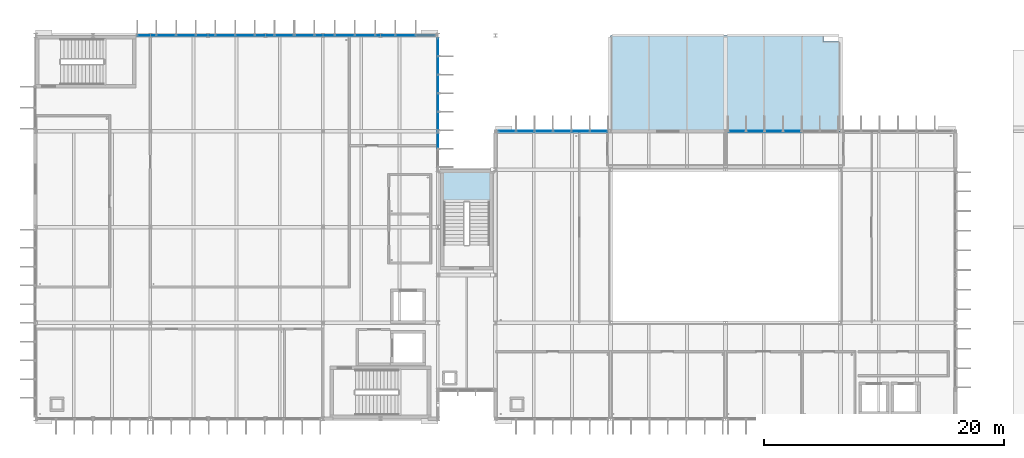
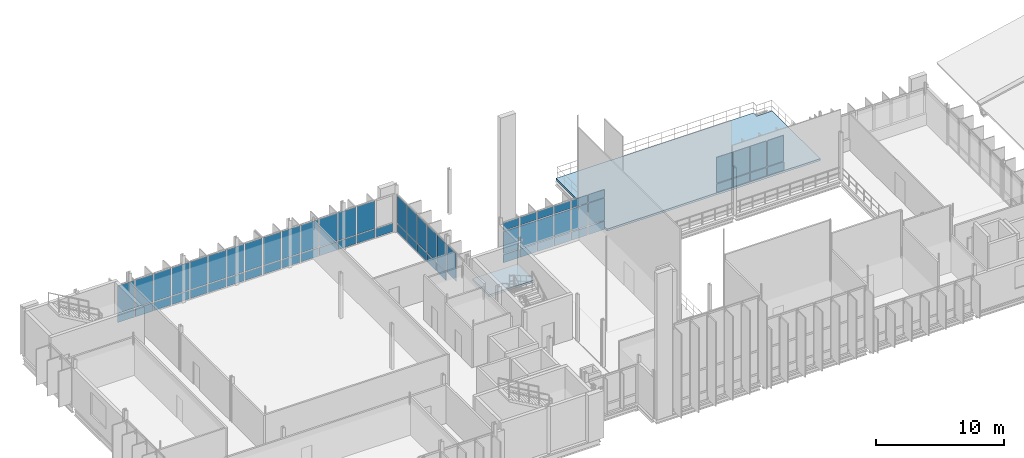
# One storey, part 20 of 41: 66 plates, 2 slabs, 6 elements without a shape of their own.
"""IFC4 building model written with IfcOpenShell, lengths in metres."""

from ifc_helpers import new_model, si_unit, direction, frame, origin, origin_2d, place, context, subcontext, project, spatial, polyline, rectangle, outline, extrude, material, layer, layer_set, type_object, element, aggregate, save


model = new_model("IFC4")

# Units and contexts
model_context = context("Model", 3, precision=1e-05, world=origin(), true_north=direction((0.0, 1.0)))
body_context = subcontext(model_context, "Body", "Model", "MODEL_VIEW")
ifc_project = project(units=[si_unit("LENGTHUNIT", "METRE"), si_unit("AREAUNIT", "SQUARE_METRE"), si_unit("VOLUMEUNIT", "CUBIC_METRE"), si_unit("PLANEANGLEUNIT", "RADIAN"), si_unit("MASSUNIT", "GRAM", prefix="KILO")], contexts=[model_context])

# Site, building, storey
site_placement = place(None, origin())
site = spatial("IfcSite", under=ifc_project, at=site_placement, CompositionType="ELEMENT")
building_placement = place(site_placement, origin())
building = spatial("IfcBuilding", under=site, at=building_placement, Name="Dunescarp Central Library", CompositionType="ELEMENT")
storey_placement = place(building_placement, frame((0.0, 0.0, 23.10009765625)))
storey = spatial("IfcBuildingStorey", under=building, at=storey_placement, Name="L05", CompositionType="ELEMENT", Elevation=23.10009765625)

# Curtain wall, plates
ifc_material_1 = material(Name="Marine-grade anodised aluminium 6063-T6", Category="aluminium")
curtain_wall_type = type_object("IfcCurtainWallType", Name="ARC-CW-STICK", PredefinedType="NOTDEFINED", material=ifc_material_1)
curtain_wall_1_placement = place(storey_placement, origin())
curtain_wall_1 = element("IfcCurtainWall", 1, at=curtain_wall_1_placement, inside=storey, type_object=curtain_wall_type, Name="L05 curtain wall CW-V1-033", PredefinedType="NOTDEFINED")
ifc_material_2 = material(Name="Solar-control laminated double glazing", Category="glass")
ifc_layer_1 = layer(ifc_material_2, 0.028076171875)
ifc_layer_set_1 = layer_set([ifc_layer_1], Name="Solar-control laminated double glazing")
plate_type_1 = type_object("IfcPlateType", Name="ARC-PLT-GLZ28", PredefinedType="CURTAIN_PANEL", material=ifc_layer_set_1)
plate_1_placement = place(storey_placement, frame((22.464599609375, 36.800048828125, 0.93994140625), z_axis=(0.0, 0.0, 1.0), x_axis=(1.0, 0.0, 0.0)))
plate_1 = element("IfcPlate", 2, at=plate_1_placement, type_object=plate_type_1, Name="CW-V1-033 panel 1.2", PredefinedType="CURTAIN_PANEL", context=body_context, shape_type="SweptSolid", body=[
    extrude(rectangle(XDim=1.5693359375, YDim=0.028076171875, at=origin_2d()), origin(), (0.0, 0.0, 1.0), 2.633056640625),
])
plate_2_placement = place(storey_placement, frame((24.134033203125, 36.800048828125, 0.93994140625), z_axis=(0.0, 0.0, 1.0), x_axis=(1.0, 0.0, 0.0)))
plate_2 = element("IfcPlate", 3, at=plate_2_placement, type_object=plate_type_1, Name="CW-V1-033 panel 2.2", PredefinedType="CURTAIN_PANEL", context=body_context, shape_type="SweptSolid", body=[
    extrude(rectangle(XDim=1.609375, YDim=0.028076171875, at=origin_2d()), origin(), (0.0, 0.0, 1.0), 2.633056640625),
])
plate_3_placement = place(storey_placement, frame((25.8232421875, 36.800048828125, 0.93994140625), z_axis=(0.0, 0.0, 1.0), x_axis=(1.0, 0.0, 0.0)))
plate_3 = element("IfcPlate", 4, at=plate_3_placement, type_object=plate_type_1, Name="CW-V1-033 panel 3.2", PredefinedType="CURTAIN_PANEL", context=body_context, shape_type="SweptSolid", body=[
    extrude(rectangle(XDim=1.609375, YDim=0.028076171875, at=origin_2d()), origin(), (0.0, 0.0, 1.0), 2.633056640625),
])
plate_4_placement = place(storey_placement, frame((27.512451171875, 36.800048828125, 0.93994140625), z_axis=(0.0, 0.0, 1.0), x_axis=(1.0, 0.0, 0.0)))
plate_4 = element("IfcPlate", 5, at=plate_4_placement, type_object=plate_type_1, Name="CW-V1-033 panel 4.2", PredefinedType="CURTAIN_PANEL", context=body_context, shape_type="SweptSolid", body=[
    extrude(rectangle(XDim=1.609375, YDim=0.028076171875, at=origin_2d()), origin(), (0.0, 0.0, 1.0), 2.633056640625),
])
plate_5_placement = place(storey_placement, frame((29.201904296875, 36.800048828125, 0.93994140625), z_axis=(0.0, 0.0, 1.0), x_axis=(1.0, 0.0, 0.0)))
plate_5 = element("IfcPlate", 6, at=plate_5_placement, type_object=plate_type_1, Name="CW-V1-033 panel 5.2", PredefinedType="CURTAIN_PANEL", context=body_context, shape_type="SweptSolid", body=[
    extrude(rectangle(XDim=1.609375, YDim=0.028076171875, at=origin_2d()), origin(), (0.0, 0.0, 1.0), 2.633056640625),
])
plate_6_placement = place(storey_placement, frame((30.89111328125, 36.800048828125, 0.93994140625), z_axis=(0.0, 0.0, 1.0), x_axis=(1.0, 0.0, 0.0)))
plate_6 = element("IfcPlate", 7, at=plate_6_placement, type_object=plate_type_1, Name="CW-V1-033 panel 6.2", PredefinedType="CURTAIN_PANEL", context=body_context, shape_type="SweptSolid", body=[
    extrude(rectangle(XDim=1.609375, YDim=0.028076171875, at=origin_2d()), origin(), (0.0, 0.0, 1.0), 2.633056640625),
])

curtain_wall_2_placement = place(storey_placement, origin())
curtain_wall_2 = element("IfcCurtainWall", 8, at=curtain_wall_2_placement, inside=storey, type_object=curtain_wall_type, Name="L05 curtain wall CW-V1-034", PredefinedType="NOTDEFINED")
plate_7_placement = place(storey_placement, frame((9.2919921875, 36.800048828125, 0.93994140625), z_axis=(0.0, 0.0, 1.0), x_axis=(1.0, 0.0, 0.0)))
plate_7 = element("IfcPlate", 9, at=plate_7_placement, type_object=plate_type_1, Name="CW-V1-034 panel 1.2", PredefinedType="CURTAIN_PANEL", context=body_context, shape_type="SweptSolid", body=[
    extrude(rectangle(XDim=1.523681640625, YDim=0.028076171875, at=origin_2d()), origin(), (0.0, 0.0, 1.0), 2.633056640625),
])
plate_8_placement = place(storey_placement, frame((10.91552734375, 36.800048828125, 0.93994140625), z_axis=(0.0, 0.0, 1.0), x_axis=(1.0, 0.0, 0.0)))
plate_8 = element("IfcPlate", 10, at=plate_8_placement, type_object=plate_type_1, Name="CW-V1-034 panel 2.2", PredefinedType="CURTAIN_PANEL", context=body_context, shape_type="SweptSolid", body=[
    extrude(rectangle(XDim=1.563720703125, YDim=0.028076171875, at=origin_2d()), origin(), (0.0, 0.0, 1.0), 2.633056640625),
])
plate_9_placement = place(storey_placement, frame((12.559326171875, 36.800048828125, 0.93994140625), z_axis=(0.0, 0.0, 1.0), x_axis=(1.0, 0.0, 0.0)))
plate_9 = element("IfcPlate", 11, at=plate_9_placement, type_object=plate_type_1, Name="CW-V1-034 panel 3.2", PredefinedType="CURTAIN_PANEL", context=body_context, shape_type="SweptSolid", body=[
    extrude(rectangle(XDim=1.563720703125, YDim=0.028076171875, at=origin_2d()), origin(), (0.0, 0.0, 1.0), 2.633056640625),
])
plate_10_placement = place(storey_placement, frame((14.203125, 36.800048828125, 0.93994140625), z_axis=(0.0, 0.0, 1.0), x_axis=(1.0, 0.0, 0.0)))
plate_10 = element("IfcPlate", 12, at=plate_10_placement, type_object=plate_type_1, Name="CW-V1-034 panel 4.2", PredefinedType="CURTAIN_PANEL", context=body_context, shape_type="SweptSolid", body=[
    extrude(rectangle(XDim=1.563720703125, YDim=0.028076171875, at=origin_2d()), origin(), (0.0, 0.0, 1.0), 2.633056640625),
])
plate_11_placement = place(storey_placement, frame((15.846923828125, 36.800048828125, 0.93994140625), z_axis=(0.0, 0.0, 1.0), x_axis=(1.0, 0.0, 0.0)))
plate_11 = element("IfcPlate", 13, at=plate_11_placement, type_object=plate_type_1, Name="CW-V1-034 panel 5.2", PredefinedType="CURTAIN_PANEL", context=body_context, shape_type="SweptSolid", body=[
    extrude(rectangle(XDim=1.563720703125, YDim=0.028076171875, at=origin_2d()), origin(), (0.0, 0.0, 1.0), 2.633056640625),
])
plate_12_placement = place(storey_placement, frame((17.49072265625, 36.800048828125, 0.93994140625), z_axis=(0.0, 0.0, 1.0), x_axis=(1.0, 0.0, 0.0)))
plate_12 = element("IfcPlate", 14, at=plate_12_placement, type_object=plate_type_1, Name="CW-V1-034 panel 6.2", PredefinedType="CURTAIN_PANEL", context=body_context, shape_type="SweptSolid", body=[
    extrude(rectangle(XDim=1.563720703125, YDim=0.028076171875, at=origin_2d()), origin(), (0.0, 0.0, 1.0), 2.633056640625),
])
plate_13_placement = place(storey_placement, frame((19.13427734375, 36.800048828125, 0.93994140625), z_axis=(0.0, 0.0, 1.0), x_axis=(1.0, 0.0, 0.0)))
plate_13 = element("IfcPlate", 15, at=plate_13_placement, type_object=plate_type_1, Name="CW-V1-034 panel 7.2", PredefinedType="CURTAIN_PANEL", context=body_context, shape_type="SweptSolid", body=[
    extrude(rectangle(XDim=1.563720703125, YDim=0.028076171875, at=origin_2d()), origin(), (0.0, 0.0, 1.0), 2.633056640625),
])
plate_14_placement = place(storey_placement, frame((20.758056640625, 36.800048828125, 0.93994140625), z_axis=(0.0, 0.0, 1.0), x_axis=(1.0, 0.0, 0.0)))
plate_14 = element("IfcPlate", 16, at=plate_14_placement, type_object=plate_type_1, Name="CW-V1-034 panel 8.2", PredefinedType="CURTAIN_PANEL", context=body_context, shape_type="SweptSolid", body=[
    extrude(rectangle(XDim=1.523681640625, YDim=0.028076171875, at=origin_2d()), origin(), (0.0, 0.0, 1.0), 2.633056640625),
])

curtain_wall_3_placement = place(storey_placement, origin())
curtain_wall_3 = element("IfcCurtainWall", 17, at=curtain_wall_3_placement, inside=storey, type_object=curtain_wall_type, Name="L05 curtain wall CW-V1-037", PredefinedType="NOTDEFINED")
plate_15_placement = place(storey_placement, frame((33.60009765625, 35.830078125, 0.93994140625), z_axis=(0.0, 0.0, 1.0), x_axis=(0.0, -1.0, 0.0)))
plate_15 = element("IfcPlate", 18, at=plate_15_placement, type_object=plate_type_1, Name="CW-V1-037 panel 1.2", PredefinedType="CURTAIN_PANEL", context=body_context, shape_type="SweptSolid", body=[
    extrude(rectangle(XDim=1.429931640625, YDim=0.028076171875, at=origin_2d()), origin(), (0.0, 0.0, 1.0), 2.633056640625),
])
plate_16_placement = place(storey_placement, frame((33.60009765625, 34.300048828125, 0.93994140625), z_axis=(0.0, 0.0, 1.0), x_axis=(0.0, -1.0, 0.0)))
plate_16 = element("IfcPlate", 19, at=plate_16_placement, type_object=plate_type_1, Name="CW-V1-037 panel 2.2", PredefinedType="CURTAIN_PANEL", context=body_context, shape_type="SweptSolid", body=[
    extrude(rectangle(XDim=1.469970703125, YDim=0.028076171875, at=origin_2d()), origin(), (0.0, 0.0, 1.0), 2.633056640625),
])
plate_17_placement = place(storey_placement, frame((33.60009765625, 32.75, 0.93994140625), z_axis=(0.0, 0.0, 1.0), x_axis=(0.0, -1.0, 0.0)))
plate_17 = element("IfcPlate", 20, at=plate_17_placement, type_object=plate_type_1, Name="CW-V1-037 panel 3.2", PredefinedType="CURTAIN_PANEL", context=body_context, shape_type="SweptSolid", body=[
    extrude(rectangle(XDim=1.469970703125, YDim=0.028076171875, at=origin_2d()), origin(), (0.0, 0.0, 1.0), 2.633056640625),
])
plate_18_placement = place(storey_placement, frame((33.60009765625, 31.199951171875, 0.93994140625), z_axis=(0.0, 0.0, 1.0), x_axis=(0.0, -1.0, 0.0)))
plate_18 = element("IfcPlate", 21, at=plate_18_placement, type_object=plate_type_1, Name="CW-V1-037 panel 4.2", PredefinedType="CURTAIN_PANEL", context=body_context, shape_type="SweptSolid", body=[
    extrude(rectangle(XDim=1.469970703125, YDim=0.028076171875, at=origin_2d()), origin(), (0.0, 0.0, 1.0), 2.633056640625),
])
plate_19_placement = place(storey_placement, frame((33.60009765625, 29.64990234375, 0.93994140625), z_axis=(0.0, 0.0, 1.0), x_axis=(0.0, -1.0, 0.0)))
plate_19 = element("IfcPlate", 22, at=plate_19_placement, type_object=plate_type_1, Name="CW-V1-037 panel 5.2", PredefinedType="CURTAIN_PANEL", context=body_context, shape_type="SweptSolid", body=[
    extrude(rectangle(XDim=1.469970703125, YDim=0.028076171875, at=origin_2d()), origin(), (0.0, 0.0, 1.0), 2.633056640625),
])
plate_20_placement = place(storey_placement, frame((33.60009765625, 28.10009765625, 0.93994140625), z_axis=(0.0, 0.0, 1.0), x_axis=(0.0, -1.0, 0.0)))
plate_20 = element("IfcPlate", 23, at=plate_20_placement, type_object=plate_type_1, Name="CW-V1-037 panel 6.2", PredefinedType="CURTAIN_PANEL", context=body_context, shape_type="SweptSolid", body=[
    extrude(rectangle(XDim=1.469970703125, YDim=0.028076171875, at=origin_2d()), origin(), (0.0, 0.0, 1.0), 2.633056640625),
])

curtain_wall_4_placement = place(storey_placement, origin())
curtain_wall_4 = element("IfcCurtainWall", 24, at=curtain_wall_4_placement, inside=storey, type_object=curtain_wall_type, Name="L05 curtain wall CW-V2-077", PredefinedType="NOTDEFINED")
plate_21_placement = place(storey_placement, frame((39.36572265625, 28.800048828125, 0.93994140625), z_axis=(0.0, 0.0, 1.0), x_axis=(1.0, 0.0, 0.0)))
plate_21 = element("IfcPlate", 25, at=plate_21_placement, type_object=plate_type_1, Name="CW-V2-077 panel 1.2", PredefinedType="CURTAIN_PANEL", context=body_context, shape_type="SweptSolid", body=[
    extrude(rectangle(XDim=1.421630859375, YDim=0.028076171875, at=origin_2d()), origin(), (0.0, 0.0, 1.0), 2.1201171875),
])
plate_22_placement = place(storey_placement, frame((39.36572265625, 28.800048828125, 3.1396484375), z_axis=(0.0, 0.0, 1.0), x_axis=(1.0, 0.0, 0.0)))
plate_22 = element("IfcPlate", 26, at=plate_22_placement, type_object=plate_type_1, Name="CW-V2-077 panel 1.3", PredefinedType="CURTAIN_PANEL", context=body_context, shape_type="SweptSolid", body=[
    extrude(rectangle(XDim=1.421630859375, YDim=0.028076171875, at=origin_2d()), origin(), (0.0, 0.0, 1.0), 0.735107421875),
])
plate_23_placement = place(storey_placement, frame((40.887451171875, 28.800048828125, 0.93994140625), z_axis=(0.0, 0.0, 1.0), x_axis=(1.0, 0.0, 0.0)))
plate_23 = element("IfcPlate", 27, at=plate_23_placement, type_object=plate_type_1, Name="CW-V2-077 panel 2.2", PredefinedType="CURTAIN_PANEL", context=body_context, shape_type="SweptSolid", body=[
    extrude(rectangle(XDim=1.461669921875, YDim=0.028076171875, at=origin_2d()), origin(), (0.0, 0.0, 1.0), 2.1201171875),
])
plate_24_placement = place(storey_placement, frame((40.887451171875, 28.800048828125, 3.1396484375), z_axis=(0.0, 0.0, 1.0), x_axis=(1.0, 0.0, 0.0)))
plate_24 = element("IfcPlate", 28, at=plate_24_placement, type_object=plate_type_1, Name="CW-V2-077 panel 2.3", PredefinedType="CURTAIN_PANEL", context=body_context, shape_type="SweptSolid", body=[
    extrude(rectangle(XDim=1.461669921875, YDim=0.028076171875, at=origin_2d()), origin(), (0.0, 0.0, 1.0), 0.735107421875),
])
plate_25_placement = place(storey_placement, frame((42.42919921875, 28.800048828125, 0.93994140625), z_axis=(0.0, 0.0, 1.0), x_axis=(1.0, 0.0, 0.0)))
plate_25 = element("IfcPlate", 29, at=plate_25_placement, type_object=plate_type_1, Name="CW-V2-077 panel 3.2", PredefinedType="CURTAIN_PANEL", context=body_context, shape_type="SweptSolid", body=[
    extrude(rectangle(XDim=1.461669921875, YDim=0.028076171875, at=origin_2d()), origin(), (0.0, 0.0, 1.0), 2.1201171875),
])
plate_26_placement = place(storey_placement, frame((42.42919921875, 28.800048828125, 3.1396484375), z_axis=(0.0, 0.0, 1.0), x_axis=(1.0, 0.0, 0.0)))
plate_26 = element("IfcPlate", 30, at=plate_26_placement, type_object=plate_type_1, Name="CW-V2-077 panel 3.3", PredefinedType="CURTAIN_PANEL", context=body_context, shape_type="SweptSolid", body=[
    extrude(rectangle(XDim=1.461669921875, YDim=0.028076171875, at=origin_2d()), origin(), (0.0, 0.0, 1.0), 0.735107421875),
])
plate_27_placement = place(storey_placement, frame((43.970947265625, 28.800048828125, 0.93994140625), z_axis=(0.0, 0.0, 1.0), x_axis=(1.0, 0.0, 0.0)))
plate_27 = element("IfcPlate", 31, at=plate_27_placement, type_object=plate_type_1, Name="CW-V2-077 panel 4.2", PredefinedType="CURTAIN_PANEL", context=body_context, shape_type="SweptSolid", body=[
    extrude(rectangle(XDim=1.461669921875, YDim=0.028076171875, at=origin_2d()), origin(), (0.0, 0.0, 1.0), 2.1201171875),
])
plate_28_placement = place(storey_placement, frame((43.970947265625, 28.800048828125, 3.1396484375), z_axis=(0.0, 0.0, 1.0), x_axis=(1.0, 0.0, 0.0)))
plate_28 = element("IfcPlate", 32, at=plate_28_placement, type_object=plate_type_1, Name="CW-V2-077 panel 4.3", PredefinedType="CURTAIN_PANEL", context=body_context, shape_type="SweptSolid", body=[
    extrude(rectangle(XDim=1.461669921875, YDim=0.028076171875, at=origin_2d()), origin(), (0.0, 0.0, 1.0), 0.735107421875),
])
plate_29_placement = place(storey_placement, frame((45.512451171875, 28.800048828125, 0.93994140625), z_axis=(0.0, 0.0, 1.0), x_axis=(1.0, 0.0, 0.0)))
plate_29 = element("IfcPlate", 33, at=plate_29_placement, type_object=plate_type_1, Name="CW-V2-077 panel 5.2", PredefinedType="CURTAIN_PANEL", context=body_context, shape_type="SweptSolid", body=[
    extrude(rectangle(XDim=1.461669921875, YDim=0.028076171875, at=origin_2d()), origin(), (0.0, 0.0, 1.0), 2.1201171875),
])
plate_30_placement = place(storey_placement, frame((45.512451171875, 28.800048828125, 3.1396484375), z_axis=(0.0, 0.0, 1.0), x_axis=(1.0, 0.0, 0.0)))
plate_30 = element("IfcPlate", 34, at=plate_30_placement, type_object=plate_type_1, Name="CW-V2-077 panel 5.3", PredefinedType="CURTAIN_PANEL", context=body_context, shape_type="SweptSolid", body=[
    extrude(rectangle(XDim=1.461669921875, YDim=0.028076171875, at=origin_2d()), origin(), (0.0, 0.0, 1.0), 0.735107421875),
])
plate_31_placement = place(storey_placement, frame((47.0341796875, 28.800048828125, 0.93994140625), z_axis=(0.0, 0.0, 1.0), x_axis=(1.0, 0.0, 0.0)))
plate_31 = element("IfcPlate", 35, at=plate_31_placement, type_object=plate_type_1, Name="CW-V2-077 panel 6.2", PredefinedType="CURTAIN_PANEL", context=body_context, shape_type="SweptSolid", body=[
    extrude(rectangle(XDim=1.421630859375, YDim=0.028076171875, at=origin_2d()), origin(), (0.0, 0.0, 1.0), 2.1201171875),
])
plate_32_placement = place(storey_placement, frame((47.0341796875, 28.800048828125, 3.1396484375), z_axis=(0.0, 0.0, 1.0), x_axis=(1.0, 0.0, 0.0)))
plate_32 = element("IfcPlate", 36, at=plate_32_placement, type_object=plate_type_1, Name="CW-V2-077 panel 6.3", PredefinedType="CURTAIN_PANEL", context=body_context, shape_type="SweptSolid", body=[
    extrude(rectangle(XDim=1.421630859375, YDim=0.028076171875, at=origin_2d()), origin(), (0.0, 0.0, 1.0), 0.735107421875),
])

curtain_wall_5_placement = place(storey_placement, origin())
curtain_wall_5 = element("IfcCurtainWall", 37, at=curtain_wall_5_placement, inside=storey, type_object=curtain_wall_type, Name="L05 curtain wall CW-V2-078", PredefinedType="NOTDEFINED")
plate_33_placement = place(storey_placement, frame((58.56591796875, 28.800048828125, 0.93994140625), z_axis=(0.0, 0.0, 1.0), x_axis=(1.0, 0.0, 0.0)))
plate_33 = element("IfcPlate", 38, at=plate_33_placement, type_object=plate_type_1, Name="CW-V2-078 panel 1.2", PredefinedType="CURTAIN_PANEL", context=body_context, shape_type="SweptSolid", body=[
    extrude(rectangle(XDim=1.421630859375, YDim=0.028076171875, at=origin_2d()), origin(), (0.0, 0.0, 1.0), 2.446044921875),
])
plate_34_placement = place(storey_placement, frame((60.08740234375, 28.800048828125, 0.93994140625), z_axis=(0.0, 0.0, 1.0), x_axis=(1.0, 0.0, 0.0)))
plate_34 = element("IfcPlate", 39, at=plate_34_placement, type_object=plate_type_1, Name="CW-V2-078 panel 2.2", PredefinedType="CURTAIN_PANEL", context=body_context, shape_type="SweptSolid", body=[
    extrude(rectangle(XDim=1.461669921875, YDim=0.028076171875, at=origin_2d()), origin(), (0.0, 0.0, 1.0), 2.446044921875),
])
plate_35_placement = place(storey_placement, frame((61.629150390625, 28.800048828125, 0.93994140625), z_axis=(0.0, 0.0, 1.0), x_axis=(1.0, 0.0, 0.0)))
plate_35 = element("IfcPlate", 40, at=plate_35_placement, type_object=plate_type_1, Name="CW-V2-078 panel 3.2", PredefinedType="CURTAIN_PANEL", context=body_context, shape_type="SweptSolid", body=[
    extrude(rectangle(XDim=1.461669921875, YDim=0.028076171875, at=origin_2d()), origin(), (0.0, 0.0, 1.0), 2.446044921875),
])
plate_36_placement = place(storey_placement, frame((63.1708984375, 28.800048828125, 0.93994140625), z_axis=(0.0, 0.0, 1.0), x_axis=(1.0, 0.0, 0.0)))
plate_36 = element("IfcPlate", 41, at=plate_36_placement, type_object=plate_type_1, Name="CW-V2-078 panel 4.2", PredefinedType="CURTAIN_PANEL", context=body_context, shape_type="SweptSolid", body=[
    extrude(rectangle(XDim=1.461669921875, YDim=0.028076171875, at=origin_2d()), origin(), (0.0, 0.0, 1.0), 2.446044921875),
])

# Plate
ifc_layer_2 = layer(ifc_material_1, 0.050048828125)
ifc_layer_set_2 = layer_set([ifc_layer_2], Name="Marine-grade anodised aluminium 6063-T6")
plate_type_2 = type_object("IfcPlateType", Name="ARC-PLT-SPN50", PredefinedType="SHEET", material=ifc_layer_set_2)
plate_37_placement = place(storey_placement, frame((22.464599609375, 36.800048828125, 0.080078125), z_axis=(0.0, 0.0, 1.0), x_axis=(1.0, 0.0, 0.0)))
plate_37 = element("IfcPlate", 42, at=plate_37_placement, type_object=plate_type_2, Name="CW-V1-033 panel 1.1", PredefinedType="SHEET", context=body_context, shape_type="SweptSolid", body=[
    extrude(rectangle(XDim=1.5693359375, YDim=0.050048828125, at=origin_2d()), origin(), (0.0, 0.0, 1.0), 0.780029296875),
])

plate_38_placement = place(storey_placement, frame((24.134033203125, 36.800048828125, 0.080078125), z_axis=(0.0, 0.0, 1.0), x_axis=(1.0, 0.0, 0.0)))
plate_38 = element("IfcPlate", 43, at=plate_38_placement, type_object=plate_type_2, Name="CW-V1-033 panel 2.1", PredefinedType="SHEET", context=body_context, shape_type="SweptSolid", body=[
    extrude(rectangle(XDim=1.609375, YDim=0.050048828125, at=origin_2d()), origin(), (0.0, 0.0, 1.0), 0.780029296875),
])

plate_39_placement = place(storey_placement, frame((25.8232421875, 36.800048828125, 0.080078125), z_axis=(0.0, 0.0, 1.0), x_axis=(1.0, 0.0, 0.0)))
plate_39 = element("IfcPlate", 44, at=plate_39_placement, type_object=plate_type_2, Name="CW-V1-033 panel 3.1", PredefinedType="SHEET", context=body_context, shape_type="SweptSolid", body=[
    extrude(rectangle(XDim=1.609375, YDim=0.050048828125, at=origin_2d()), origin(), (0.0, 0.0, 1.0), 0.780029296875),
])

plate_40_placement = place(storey_placement, frame((27.512451171875, 36.800048828125, 0.080078125), z_axis=(0.0, 0.0, 1.0), x_axis=(1.0, 0.0, 0.0)))
plate_40 = element("IfcPlate", 45, at=plate_40_placement, type_object=plate_type_2, Name="CW-V1-033 panel 4.1", PredefinedType="SHEET", context=body_context, shape_type="SweptSolid", body=[
    extrude(rectangle(XDim=1.609375, YDim=0.050048828125, at=origin_2d()), origin(), (0.0, 0.0, 1.0), 0.780029296875),
])

plate_41_placement = place(storey_placement, frame((29.201904296875, 36.800048828125, 0.080078125), z_axis=(0.0, 0.0, 1.0), x_axis=(1.0, 0.0, 0.0)))
plate_41 = element("IfcPlate", 46, at=plate_41_placement, type_object=plate_type_2, Name="CW-V1-033 panel 5.1", PredefinedType="SHEET", context=body_context, shape_type="SweptSolid", body=[
    extrude(rectangle(XDim=1.609375, YDim=0.050048828125, at=origin_2d()), origin(), (0.0, 0.0, 1.0), 0.780029296875),
])

plate_42_placement = place(storey_placement, frame((30.89111328125, 36.800048828125, 0.080078125), z_axis=(0.0, 0.0, 1.0), x_axis=(1.0, 0.0, 0.0)))
plate_42 = element("IfcPlate", 47, at=plate_42_placement, type_object=plate_type_2, Name="CW-V1-033 panel 6.1", PredefinedType="SHEET", context=body_context, shape_type="SweptSolid", body=[
    extrude(rectangle(XDim=1.609375, YDim=0.050048828125, at=origin_2d()), origin(), (0.0, 0.0, 1.0), 0.780029296875),
])

plate_43_placement = place(storey_placement, frame((32.560302734375, 36.800048828125, 0.080078125), z_axis=(0.0, 0.0, 1.0), x_axis=(1.0, 0.0, 0.0)))
plate_43 = element("IfcPlate", 48, at=plate_43_placement, type_object=plate_type_2, Name="CW-V1-033 panel 7.1", PredefinedType="SHEET", context=body_context, shape_type="SweptSolid", body=[
    extrude(rectangle(XDim=1.5693359375, YDim=0.050048828125, at=origin_2d()), origin(), (0.0, 0.0, 1.0), 0.780029296875),
])

aggregate(curtain_wall_1, [plate_37, plate_1, plate_38, plate_2, plate_39, plate_3, plate_40, plate_4, plate_41, plate_5, plate_42, plate_6, plate_43])

plate_44_placement = place(storey_placement, frame((9.2919921875, 36.800048828125, 0.080078125), z_axis=(0.0, 0.0, 1.0), x_axis=(1.0, 0.0, 0.0)))
plate_44 = element("IfcPlate", 49, at=plate_44_placement, type_object=plate_type_2, Name="CW-V1-034 panel 1.1", PredefinedType="SHEET", context=body_context, shape_type="SweptSolid", body=[
    extrude(rectangle(XDim=1.523681640625, YDim=0.050048828125, at=origin_2d()), origin(), (0.0, 0.0, 1.0), 0.780029296875),
])

plate_45_placement = place(storey_placement, frame((10.91552734375, 36.800048828125, 0.080078125), z_axis=(0.0, 0.0, 1.0), x_axis=(1.0, 0.0, 0.0)))
plate_45 = element("IfcPlate", 50, at=plate_45_placement, type_object=plate_type_2, Name="CW-V1-034 panel 2.1", PredefinedType="SHEET", context=body_context, shape_type="SweptSolid", body=[
    extrude(rectangle(XDim=1.563720703125, YDim=0.050048828125, at=origin_2d()), origin(), (0.0, 0.0, 1.0), 0.780029296875),
])

plate_46_placement = place(storey_placement, frame((12.559326171875, 36.800048828125, 0.080078125), z_axis=(0.0, 0.0, 1.0), x_axis=(1.0, 0.0, 0.0)))
plate_46 = element("IfcPlate", 51, at=plate_46_placement, type_object=plate_type_2, Name="CW-V1-034 panel 3.1", PredefinedType="SHEET", context=body_context, shape_type="SweptSolid", body=[
    extrude(rectangle(XDim=1.563720703125, YDim=0.050048828125, at=origin_2d()), origin(), (0.0, 0.0, 1.0), 0.780029296875),
])

plate_47_placement = place(storey_placement, frame((14.203125, 36.800048828125, 0.080078125), z_axis=(0.0, 0.0, 1.0), x_axis=(1.0, 0.0, 0.0)))
plate_47 = element("IfcPlate", 52, at=plate_47_placement, type_object=plate_type_2, Name="CW-V1-034 panel 4.1", PredefinedType="SHEET", context=body_context, shape_type="SweptSolid", body=[
    extrude(rectangle(XDim=1.563720703125, YDim=0.050048828125, at=origin_2d()), origin(), (0.0, 0.0, 1.0), 0.780029296875),
])

plate_48_placement = place(storey_placement, frame((15.846923828125, 36.800048828125, 0.080078125), z_axis=(0.0, 0.0, 1.0), x_axis=(1.0, 0.0, 0.0)))
plate_48 = element("IfcPlate", 53, at=plate_48_placement, type_object=plate_type_2, Name="CW-V1-034 panel 5.1", PredefinedType="SHEET", context=body_context, shape_type="SweptSolid", body=[
    extrude(rectangle(XDim=1.563720703125, YDim=0.050048828125, at=origin_2d()), origin(), (0.0, 0.0, 1.0), 0.780029296875),
])

plate_49_placement = place(storey_placement, frame((17.49072265625, 36.800048828125, 0.080078125), z_axis=(0.0, 0.0, 1.0), x_axis=(1.0, 0.0, 0.0)))
plate_49 = element("IfcPlate", 54, at=plate_49_placement, type_object=plate_type_2, Name="CW-V1-034 panel 6.1", PredefinedType="SHEET", context=body_context, shape_type="SweptSolid", body=[
    extrude(rectangle(XDim=1.563720703125, YDim=0.050048828125, at=origin_2d()), origin(), (0.0, 0.0, 1.0), 0.780029296875),
])

plate_50_placement = place(storey_placement, frame((19.13427734375, 36.800048828125, 0.080078125), z_axis=(0.0, 0.0, 1.0), x_axis=(1.0, 0.0, 0.0)))
plate_50 = element("IfcPlate", 55, at=plate_50_placement, type_object=plate_type_2, Name="CW-V1-034 panel 7.1", PredefinedType="SHEET", context=body_context, shape_type="SweptSolid", body=[
    extrude(rectangle(XDim=1.563720703125, YDim=0.050048828125, at=origin_2d()), origin(), (0.0, 0.0, 1.0), 0.780029296875),
])

plate_51_placement = place(storey_placement, frame((20.758056640625, 36.800048828125, 0.080078125), z_axis=(0.0, 0.0, 1.0), x_axis=(1.0, 0.0, 0.0)))
plate_51 = element("IfcPlate", 56, at=plate_51_placement, type_object=plate_type_2, Name="CW-V1-034 panel 8.1", PredefinedType="SHEET", context=body_context, shape_type="SweptSolid", body=[
    extrude(rectangle(XDim=1.523681640625, YDim=0.050048828125, at=origin_2d()), origin(), (0.0, 0.0, 1.0), 0.780029296875),
])

aggregate(curtain_wall_2, [plate_44, plate_7, plate_45, plate_8, plate_46, plate_9, plate_47, plate_10, plate_48, plate_11, plate_49, plate_12, plate_50, plate_13, plate_51, plate_14])

plate_52_placement = place(storey_placement, frame((33.60009765625, 35.830078125, 0.080078125), z_axis=(0.0, 0.0, 1.0), x_axis=(0.0, -1.0, 0.0)))
plate_52 = element("IfcPlate", 57, at=plate_52_placement, type_object=plate_type_2, Name="CW-V1-037 panel 1.1", PredefinedType="SHEET", context=body_context, shape_type="SweptSolid", body=[
    extrude(rectangle(XDim=1.429931640625, YDim=0.050048828125, at=origin_2d()), origin(), (0.0, 0.0, 1.0), 0.780029296875),
])

plate_53_placement = place(storey_placement, frame((33.60009765625, 34.300048828125, 0.080078125), z_axis=(0.0, 0.0, 1.0), x_axis=(0.0, -1.0, 0.0)))
plate_53 = element("IfcPlate", 58, at=plate_53_placement, type_object=plate_type_2, Name="CW-V1-037 panel 2.1", PredefinedType="SHEET", context=body_context, shape_type="SweptSolid", body=[
    extrude(rectangle(XDim=1.469970703125, YDim=0.050048828125, at=origin_2d()), origin(), (0.0, 0.0, 1.0), 0.780029296875),
])

plate_54_placement = place(storey_placement, frame((33.60009765625, 32.75, 0.080078125), z_axis=(0.0, 0.0, 1.0), x_axis=(0.0, -1.0, 0.0)))
plate_54 = element("IfcPlate", 59, at=plate_54_placement, type_object=plate_type_2, Name="CW-V1-037 panel 3.1", PredefinedType="SHEET", context=body_context, shape_type="SweptSolid", body=[
    extrude(rectangle(XDim=1.469970703125, YDim=0.050048828125, at=origin_2d()), origin(), (0.0, 0.0, 1.0), 0.780029296875),
])

plate_55_placement = place(storey_placement, frame((33.60009765625, 31.199951171875, 0.080078125), z_axis=(0.0, 0.0, 1.0), x_axis=(0.0, -1.0, 0.0)))
plate_55 = element("IfcPlate", 60, at=plate_55_placement, type_object=plate_type_2, Name="CW-V1-037 panel 4.1", PredefinedType="SHEET", context=body_context, shape_type="SweptSolid", body=[
    extrude(rectangle(XDim=1.469970703125, YDim=0.050048828125, at=origin_2d()), origin(), (0.0, 0.0, 1.0), 0.780029296875),
])

plate_56_placement = place(storey_placement, frame((33.60009765625, 29.64990234375, 0.080078125), z_axis=(0.0, 0.0, 1.0), x_axis=(0.0, -1.0, 0.0)))
plate_56 = element("IfcPlate", 61, at=plate_56_placement, type_object=plate_type_2, Name="CW-V1-037 panel 5.1", PredefinedType="SHEET", context=body_context, shape_type="SweptSolid", body=[
    extrude(rectangle(XDim=1.469970703125, YDim=0.050048828125, at=origin_2d()), origin(), (0.0, 0.0, 1.0), 0.780029296875),
])

aggregate(curtain_wall_3, [plate_52, plate_15, plate_53, plate_16, plate_54, plate_17, plate_55, plate_18, plate_56, plate_19, plate_20])

plate_57_placement = place(storey_placement, frame((39.36572265625, 28.800048828125, 0.080078125), z_axis=(0.0, 0.0, 1.0), x_axis=(1.0, 0.0, 0.0)))
plate_57 = element("IfcPlate", 62, at=plate_57_placement, type_object=plate_type_2, Name="CW-V2-077 panel 1.1", PredefinedType="SHEET", context=body_context, shape_type="SweptSolid", body=[
    extrude(rectangle(XDim=1.421630859375, YDim=0.050048828125, at=origin_2d()), origin(), (0.0, 0.0, 1.0), 0.780029296875),
])

plate_58_placement = place(storey_placement, frame((40.887451171875, 28.800048828125, 0.080078125), z_axis=(0.0, 0.0, 1.0), x_axis=(1.0, 0.0, 0.0)))
plate_58 = element("IfcPlate", 63, at=plate_58_placement, type_object=plate_type_2, Name="CW-V2-077 panel 2.1", PredefinedType="SHEET", context=body_context, shape_type="SweptSolid", body=[
    extrude(rectangle(XDim=1.461669921875, YDim=0.050048828125, at=origin_2d()), origin(), (0.0, 0.0, 1.0), 0.780029296875),
])

plate_59_placement = place(storey_placement, frame((42.42919921875, 28.800048828125, 0.080078125), z_axis=(0.0, 0.0, 1.0), x_axis=(1.0, 0.0, 0.0)))
plate_59 = element("IfcPlate", 64, at=plate_59_placement, type_object=plate_type_2, Name="CW-V2-077 panel 3.1", PredefinedType="SHEET", context=body_context, shape_type="SweptSolid", body=[
    extrude(rectangle(XDim=1.461669921875, YDim=0.050048828125, at=origin_2d()), origin(), (0.0, 0.0, 1.0), 0.780029296875),
])

plate_60_placement = place(storey_placement, frame((43.970947265625, 28.800048828125, 0.080078125), z_axis=(0.0, 0.0, 1.0), x_axis=(1.0, 0.0, 0.0)))
plate_60 = element("IfcPlate", 65, at=plate_60_placement, type_object=plate_type_2, Name="CW-V2-077 panel 4.1", PredefinedType="SHEET", context=body_context, shape_type="SweptSolid", body=[
    extrude(rectangle(XDim=1.461669921875, YDim=0.050048828125, at=origin_2d()), origin(), (0.0, 0.0, 1.0), 0.780029296875),
])

plate_61_placement = place(storey_placement, frame((45.512451171875, 28.800048828125, 0.080078125), z_axis=(0.0, 0.0, 1.0), x_axis=(1.0, 0.0, 0.0)))
plate_61 = element("IfcPlate", 66, at=plate_61_placement, type_object=plate_type_2, Name="CW-V2-077 panel 5.1", PredefinedType="SHEET", context=body_context, shape_type="SweptSolid", body=[
    extrude(rectangle(XDim=1.461669921875, YDim=0.050048828125, at=origin_2d()), origin(), (0.0, 0.0, 1.0), 0.780029296875),
])

plate_62_placement = place(storey_placement, frame((47.0341796875, 28.800048828125, 0.080078125), z_axis=(0.0, 0.0, 1.0), x_axis=(1.0, 0.0, 0.0)))
plate_62 = element("IfcPlate", 67, at=plate_62_placement, type_object=plate_type_2, Name="CW-V2-077 panel 6.1", PredefinedType="SHEET", context=body_context, shape_type="SweptSolid", body=[
    extrude(rectangle(XDim=1.421630859375, YDim=0.050048828125, at=origin_2d()), origin(), (0.0, 0.0, 1.0), 0.780029296875),
])

aggregate(curtain_wall_4, [plate_57, plate_21, plate_22, plate_58, plate_23, plate_24, plate_59, plate_25, plate_26, plate_60, plate_27, plate_28, plate_61, plate_29, plate_30, plate_62, plate_31, plate_32])

plate_63_placement = place(storey_placement, frame((58.56591796875, 28.800048828125, 0.080078125), z_axis=(0.0, 0.0, 1.0), x_axis=(1.0, 0.0, 0.0)))
plate_63 = element("IfcPlate", 68, at=plate_63_placement, type_object=plate_type_2, Name="CW-V2-078 panel 1.1", PredefinedType="SHEET", context=body_context, shape_type="SweptSolid", body=[
    extrude(rectangle(XDim=1.421630859375, YDim=0.050048828125, at=origin_2d()), origin(), (0.0, 0.0, 1.0), 0.780029296875),
])

plate_64_placement = place(storey_placement, frame((60.08740234375, 28.800048828125, 0.080078125), z_axis=(0.0, 0.0, 1.0), x_axis=(1.0, 0.0, 0.0)))
plate_64 = element("IfcPlate", 69, at=plate_64_placement, type_object=plate_type_2, Name="CW-V2-078 panel 2.1", PredefinedType="SHEET", context=body_context, shape_type="SweptSolid", body=[
    extrude(rectangle(XDim=1.461669921875, YDim=0.050048828125, at=origin_2d()), origin(), (0.0, 0.0, 1.0), 0.780029296875),
])

plate_65_placement = place(storey_placement, frame((61.629150390625, 28.800048828125, 0.080078125), z_axis=(0.0, 0.0, 1.0), x_axis=(1.0, 0.0, 0.0)))
plate_65 = element("IfcPlate", 70, at=plate_65_placement, type_object=plate_type_2, Name="CW-V2-078 panel 3.1", PredefinedType="SHEET", context=body_context, shape_type="SweptSolid", body=[
    extrude(rectangle(XDim=1.461669921875, YDim=0.050048828125, at=origin_2d()), origin(), (0.0, 0.0, 1.0), 0.780029296875),
])

plate_66_placement = place(storey_placement, frame((63.1708984375, 28.800048828125, 0.080078125), z_axis=(0.0, 0.0, 1.0), x_axis=(1.0, 0.0, 0.0)))
plate_66 = element("IfcPlate", 71, at=plate_66_placement, type_object=plate_type_2, Name="CW-V2-078 panel 4.1", PredefinedType="SHEET", context=body_context, shape_type="SweptSolid", body=[
    extrude(rectangle(XDim=1.461669921875, YDim=0.050048828125, at=origin_2d()), origin(), (0.0, 0.0, 1.0), 0.780029296875),
])

aggregate(curtain_wall_5, [plate_63, plate_33, plate_64, plate_34, plate_65, plate_35, plate_66, plate_36])

# Stair, slab
ifc_material_3 = material(Name="Concrete C35/45", Category="concrete")
stair_type = type_object("IfcStairType", Name="ARC-STR-TYP", PredefinedType="HALF_TURN_STAIR", material=ifc_material_3)
stair_placement = place(storey_placement, origin())
stair = element("IfcStair", 72, at=stair_placement, inside=storey, type_object=stair_type, Name="L05 Protected escape stair ST-2", PredefinedType="HALF_TURN_STAIR")
ifc_layer_3 = layer(ifc_material_3, 0.199951171875)
ifc_layer_set_3 = layer_set([ifc_layer_3], Name="Concrete C35/45")
slab_type_1 = type_object("IfcSlabType", Name="STR-SLB-LAND200", PredefinedType="LANDING", material=ifc_layer_set_3)
slab_1_placement = place(storey_placement, frame((0.0, 0.0, 2.0498046875)))
slab_1 = element("IfcSlab", 73, at=slab_1_placement, type_object=slab_type_1, Name="ST-2 landing 1", PredefinedType="LANDING", context=body_context, shape_type="SweptSolid", body=[
    extrude(outline(polyline([(33.949951171875, 22.885009765625), (38.050048828125, 22.885009765625), (38.050048828125, 25.449951171875), (33.949951171875, 25.449951171875), (33.949951171875, 22.885009765625)])), origin(), (0.0, 0.0, 1.0), 0.2001953125),
])
aggregate(stair, [slab_1])

# Slab
ifc_layer_4 = layer(ifc_material_3, 0.18994140625)
ifc_layer_set_4 = layer_set([ifc_layer_4], Name="Concrete C35/45")
slab_type_2 = type_object("IfcSlabType", Name="STR-SLB-TER190", PredefinedType="FLOOR", material=ifc_layer_set_4)
slab_2_placement = place(storey_placement, frame((0.0, 0.0, -0.190185546875)))
element("IfcSlab", 74, at=slab_2_placement, inside=storey, type_object=slab_type_2, Name="L05 outdoor reading terrace TER-L05-V2N", PredefinedType="FLOOR", context=body_context, shape_type="SweptSolid", body=[
    extrude(outline(polyline([(48.0, 28.800048828125), (67.199951171875, 28.800048828125), (67.199951171875, 36.300048828125), (65.800048828125, 36.300048828125), (65.800048828125, 36.800048828125), (48.0, 36.800048828125), (48.0, 28.800048828125)])), origin(), (0.0, 0.0, 1.0), 0.190185546875),
])

save(model, "model.ifc")
